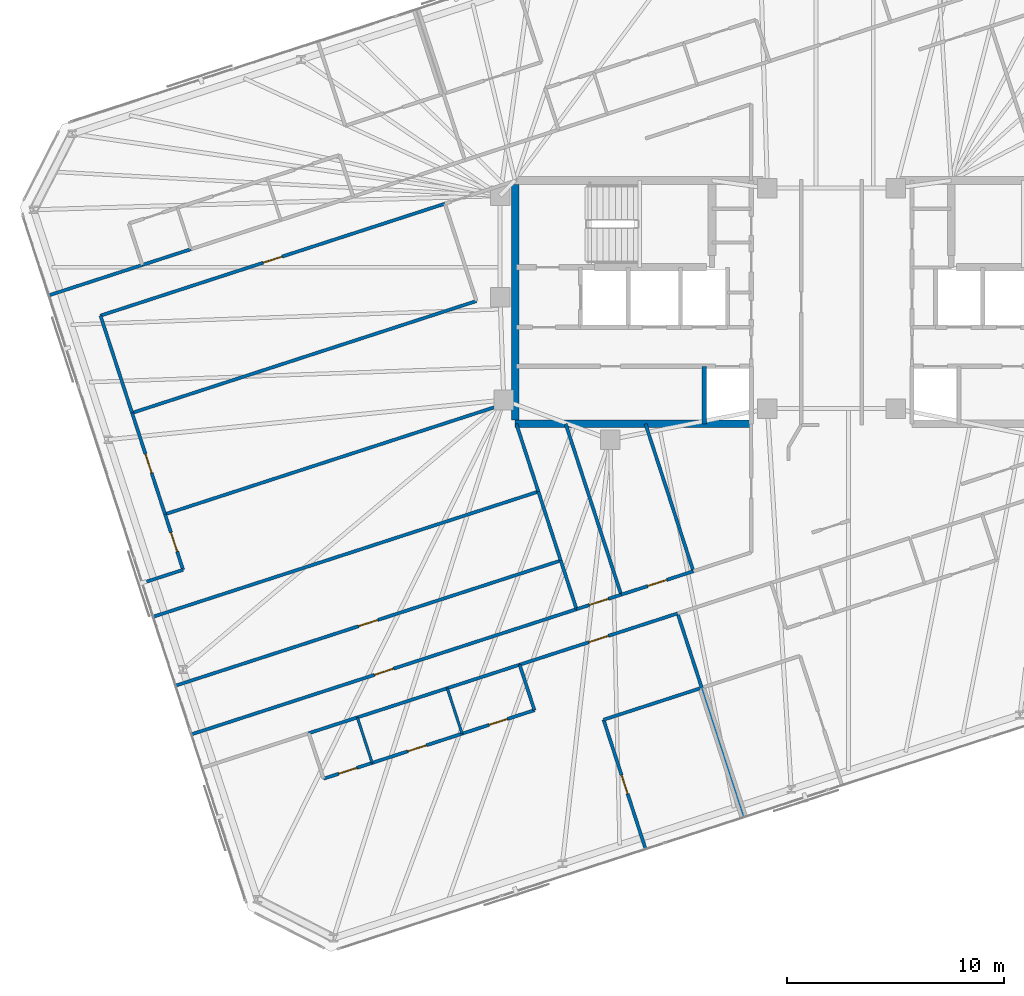
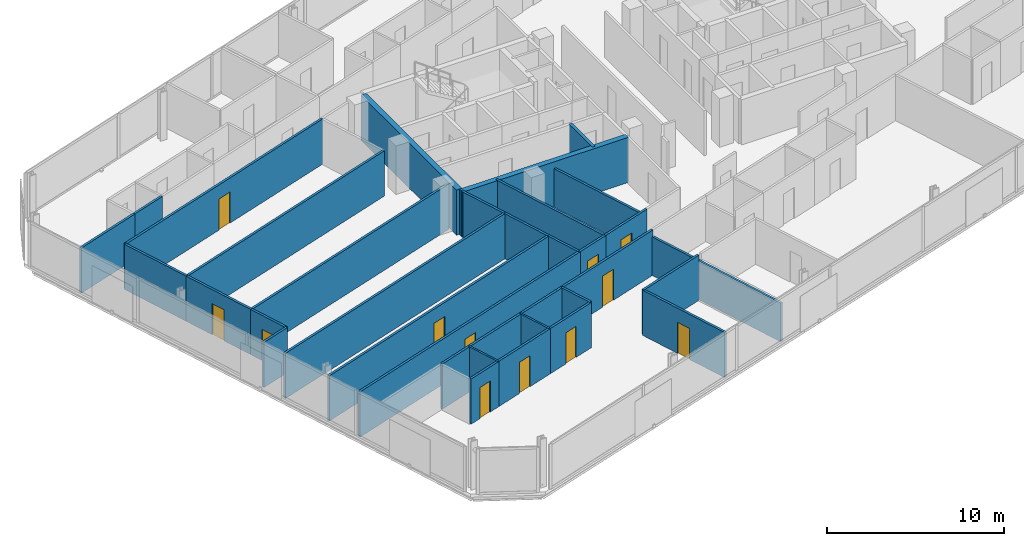
# One storey, part 13 of 20: 35 walls, 12 doors, 12 openings.
"""IFC4 building model written with IfcOpenShell, lengths in metres."""

from ifc_helpers import new_model, si_unit, direction, frame, frame_2d, origin, place, context, subcontext, project, spatial, rectangle, extrude, material, layer, layer_set, type_object, element, fill, save


model = new_model("IFC4")

# Units and contexts
model_context = context("Model", 3, precision=1e-05, world=origin(), true_north=direction((0.0, 1.0)))
body_context = subcontext(model_context, "Body", "Model", "MODEL_VIEW")
ifc_project = project(units=[si_unit("LENGTHUNIT", "METRE"), si_unit("AREAUNIT", "SQUARE_METRE"), si_unit("VOLUMEUNIT", "CUBIC_METRE"), si_unit("PLANEANGLEUNIT", "RADIAN"), si_unit("MASSUNIT", "GRAM", prefix="KILO")], contexts=[model_context])

# Site, building, storey
site_placement = place(None, origin())
site = spatial("IfcSite", under=ifc_project, at=site_placement, CompositionType="ELEMENT")
building_placement = place(site_placement, origin())
building = spatial("IfcBuilding", under=site, at=building_placement, Name="Menara Jurai Vektor", CompositionType="ELEMENT")
storey_placement = place(building_placement, frame((0.0, 0.0, 237.699951171875)))
storey = spatial("IfcBuildingStorey", under=building, at=storey_placement, Name="L63", CompositionType="ELEMENT", Elevation=237.699951171875)

# Walls
ifc_material_1 = material(Name="Gypsum Fireboard Partition", Category="gypsum")
ifc_layer_1 = layer(ifc_material_1, 0.14990234375)
ifc_layer_set_1 = layer_set([ifc_layer_1], Name="Gypsum Fireboard Partition")
wall_type_1 = type_object("IfcWallType", Name="INT-WALL-CORR-150", PredefinedType="PARTITIONING", material=ifc_layer_set_1)
wall_1_placement = place(storey_placement, frame((-36.01220703125, 0.314208984375, 0.0), z_axis=(0.0, 0.0, 1.0), x_axis=(0.951052710898, 0.309028705936, 0.0)))
element("IfcWall", 1, at=wall_1_placement, inside=storey, type_object=wall_type_1, Name="Interior Wall IW-150 L63", PredefinedType="PARTITIONING", context=body_context, shape_type="SweptSolid", body=[
    extrude(rectangle(XDim=4.52294921875, YDim=0.14990234375, at=frame_2d((2.261474609375, 0.0))), origin(), (0.0, 0.0, 1.0), 3.125),
])
wall_2_placement = place(storey_placement, frame((-31.710693359375, 1.7119140625, 0.0), z_axis=(0.0, 0.0, 1.0), x_axis=(0.951076048914, 0.308956872689, 0.0)))
element("IfcWall", 2, at=wall_2_placement, inside=storey, type_object=wall_type_1, Name="Interior Wall IW-150 L63", PredefinedType="PARTITIONING", context=body_context, shape_type="SweptSolid", body=[
    extrude(rectangle(XDim=2.35009765625, YDim=0.14990234375, at=frame_2d((1.175048828125, 0.0))), origin(), (0.0, 0.0, 1.0), 3.125),
])

# Wall, opening, door
wall_3_placement = place(storey_placement, frame((-14.349365234375, -16.67724609375, 0.0), z_axis=(0.0, 0.0, 1.0), x_axis=(0.951058958043, 0.309009479345, 0.0)))
wall_3 = element("IfcWall", 3, at=wall_3_placement, inside=storey, type_object=wall_type_1, Name="Interior Wall IW-150 L63", PredefinedType="PARTITIONING", context=body_context, shape_type="SweptSolid", body=[
    extrude(rectangle(XDim=7.64013671875, YDim=0.14990234375, at=frame_2d((3.820068359375, 0.0))), origin(), (0.0, 0.0, 1.0), 3.125),
])
opening_1_placement = place(wall_3_placement, frame((3.344970703125, 0.0, 0.0)))
opening_1 = element("IfcOpeningElement", 4, at=opening_1_placement, cuts=wall_3, Name="Opening D63-25", PredefinedType="OPENING", context=body_context, shape_type="SweptSolid", body=[
    extrude(rectangle(XDim=0.949951171875, YDim=2.14990234375, at=frame_2d((0.47509765625, 1.074951171875))), frame((0.0, 0.0849609375, 0.0), z_axis=(0.0, -1.0, 0.0), x_axis=(1.0, 0.0, 0.0)), (0.0, 0.0, 1.0), 0.169921875),
])
ifc_material_2 = material(Name="Solid Core Timber Fire Door", Category="wood")
door_type_1 = type_object("IfcDoorType", Name="DR-ENTRY-950", OperationType="NOTDEFINED", PredefinedType="DOOR", material=ifc_material_2)
door_1_placement = place(opening_1_placement, origin())
door_1 = element("IfcDoor", 5, at=door_1_placement, inside=storey, type_object=door_type_1, Name="Interior Door D63-25", OperationType="SINGLE_SWING_LEFT", OverallHeight=2.14990234375, OverallWidth=0.949951171875, PredefinedType="DOOR", context=body_context, shape_type="SweptSolid", body=[
    extrude(rectangle(XDim=0.949951171875, YDim=2.14990234375, at=frame_2d((0.47509765625, 1.074951171875))), frame((0.0, 0.02490234375, 0.0), z_axis=(0.0, -1.0, 0.0), x_axis=(1.0, 0.0, 0.0)), (0.0, 0.0, 1.0), 0.050048828125),
])
fill(opening_1, door_1)

# Walls
wall_4_placement = place(storey_placement, frame((-24.050048828125, -19.829345703125, 0.0), z_axis=(0.0, 0.0, 1.0), x_axis=(0.951035595692, 0.309081373955, 0.0)))
element("IfcWall", 6, at=wall_4_placement, inside=storey, type_object=wall_type_1, Name="Interior Wall IW-150 L63", PredefinedType="PARTITIONING", context=body_context, shape_type="SweptSolid", body=[
    extrude(rectangle(XDim=2.349853515625, YDim=0.14990234375, at=frame_2d((1.1748046875, 0.0))), origin(), (0.0, 0.0, 1.0), 3.125),
])
wall_5_placement = place(storey_placement, frame((-21.815185546875, -19.10302734375, 0.0), z_axis=(0.0, 0.0, 1.0), x_axis=(0.951057987102, 0.309012467661, 0.0)))
element("IfcWall", 7, at=wall_5_placement, inside=storey, type_object=wall_type_1, Name="Interior Wall IW-150 L63", PredefinedType="PARTITIONING", context=body_context, shape_type="SweptSolid", body=[
    extrude(rectangle(XDim=4.35009765625, YDim=0.14990234375, at=frame_2d((2.175048828125, 0.0))), origin(), (0.0, 0.0, 1.0), 3.125),
])
wall_6_placement = place(storey_placement, frame((-17.677978515625, -17.7587890625, 0.0), z_axis=(0.0, 0.0, 1.0), x_axis=(0.951055596592, 0.309019824916, 0.0)))
element("IfcWall", 8, at=wall_6_placement, inside=storey, type_object=wall_type_1, Name="Interior Wall IW-150 L63", PredefinedType="PARTITIONING", context=body_context, shape_type="SweptSolid", body=[
    extrude(rectangle(XDim=3.5, YDim=0.14990234375, at=frame_2d((1.75, 0.0))), origin(), (0.0, 0.0, 1.0), 3.125),
])

# Wall, opening, door
wall_7_placement = place(storey_placement, frame((-29.450439453125, -19.880615234375, 0.0), z_axis=(0.0, 0.0, 1.0), x_axis=(0.95105650271, 0.309017036186, 0.0)))
wall_7 = element("IfcWall", 9, at=wall_7_placement, inside=storey, type_object=wall_type_1, Name="Interior Wall IW-150 L63", PredefinedType="PARTITIONING", context=body_context, shape_type="SweptSolid", body=[
    extrude(rectangle(XDim=18.6318359375, YDim=0.14990234375, at=frame_2d((9.31591796875, 0.0))), origin(), (0.0, 0.0, 1.0), 3.125),
])
opening_2_placement = place(wall_7_placement, frame((8.85595703125, 0.0, 0.0)))
opening_2 = element("IfcOpeningElement", 10, at=opening_2_placement, cuts=wall_7, Name="Opening D63-39", PredefinedType="OPENING", context=body_context, shape_type="SweptSolid", body=[
    extrude(rectangle(XDim=0.919921875, YDim=2.14990234375, at=frame_2d((0.4599609375, 1.074951171875))), frame((0.0, 0.0849609375, 0.0), z_axis=(0.0, -1.0, 0.0), x_axis=(1.0, 0.0, 0.0)), (0.0, 0.0, 1.0), 0.169921875),
])
door_2_placement = place(opening_2_placement, origin())
door_2 = element("IfcDoor", 11, at=door_2_placement, inside=storey, type_object=door_type_1, Name="Interior Door D63-39", OperationType="SINGLE_SWING_LEFT", OverallHeight=2.14990234375, OverallWidth=0.919921875, PredefinedType="DOOR", context=body_context, shape_type="SweptSolid", body=[
    extrude(rectangle(XDim=0.919921875, YDim=2.14990234375, at=frame_2d((0.4599609375, 1.074951171875))), frame((0.0, 0.02490234375, 0.0), z_axis=(0.0, -1.0, 0.0), x_axis=(1.0, 0.0, 0.0)), (0.0, 0.0, 1.0), 0.050048828125),
])
fill(opening_2, door_2)

# Wall
wall_8_placement = place(storey_placement, frame((-31.7119140625, -12.9208984375, 0.0), z_axis=(0.0, 0.0, 1.0), x_axis=(0.951054051148, 0.309024581215, 0.0)))
element("IfcWall", 12, at=wall_8_placement, inside=storey, type_object=wall_type_1, Name="Interior Wall IW-150 L63", PredefinedType="PARTITIONING", context=body_context, shape_type="SweptSolid", body=[
    extrude(rectangle(XDim=1.97509765625, YDim=0.14990234375, at=frame_2d((0.987548828125, 0.0))), origin(), (0.0, 0.0, 1.0), 3.125),
])

# Wall, opening, door
wall_9_placement = place(storey_placement, frame((-29.83349609375, -12.310546875, 0.0), z_axis=(0.0, 0.0, 1.0), x_axis=(-0.309044953986, 0.951047431213, 0.0)))
wall_9 = element("IfcWall", 13, at=wall_9_placement, inside=storey, type_object=wall_type_1, Name="Interior Wall IW-150 L63", PredefinedType="PARTITIONING", context=body_context, shape_type="SweptSolid", body=[
    extrude(rectangle(XDim=2.68505859375, YDim=0.14990234375, at=frame_2d((1.342529296875, 0.0))), origin(), (0.0, 0.0, 1.0), 3.125),
])
opening_3_placement = place(wall_9_placement, frame((0.882568359375, 0.0, 0.0)))
opening_3 = element("IfcOpeningElement", 14, at=opening_3_placement, cuts=wall_9, Name="Opening D63-41", PredefinedType="OPENING", context=body_context, shape_type="SweptSolid", body=[
    extrude(rectangle(XDim=0.919921875, YDim=2.14990234375, at=frame_2d((0.4599609375, 1.074951171875))), frame((0.0, 0.0849609375, 0.0), z_axis=(0.0, -1.0, 0.0), x_axis=(1.0, 0.0, 0.0)), (0.0, 0.0, 1.0), 0.169921875),
])
door_3_placement = place(opening_3_placement, origin())
door_3 = element("IfcDoor", 15, at=door_3_placement, inside=storey, type_object=door_type_1, Name="Interior Door D63-41", OperationType="SINGLE_SWING_LEFT", OverallHeight=2.14990234375, OverallWidth=0.919921875, PredefinedType="DOOR", context=body_context, shape_type="SweptSolid", body=[
    extrude(rectangle(XDim=0.919921875, YDim=2.14990234375, at=frame_2d((0.4599609375, 1.074951171875))), frame((0.0, 0.02490234375, 0.0), z_axis=(0.0, -1.0, 0.0), x_axis=(1.0, 0.0, 0.0)), (0.0, 0.0, 1.0), 0.050048828125),
])
fill(opening_3, door_3)

wall_10_placement = place(storey_placement, frame((-30.663330078125, -9.7568359375, 0.0), z_axis=(0.0, 0.0, 1.0), x_axis=(-0.309019653166, 0.951055652397, 0.0)))
wall_10 = element("IfcWall", 16, at=wall_10_placement, inside=storey, type_object=wall_type_1, Name="Interior Wall IW-150 L63", PredefinedType="PARTITIONING", context=body_context, shape_type="SweptSolid", body=[
    extrude(rectangle(XDim=4.90380859375, YDim=0.14990234375, at=frame_2d((2.451904296875, 0.0))), origin(), (0.0, 0.0, 1.0), 3.125),
])
opening_4_placement = place(wall_10_placement, frame((1.991943359375, 0.0, 0.0)))
opening_4 = element("IfcOpeningElement", 17, at=opening_4_placement, cuts=wall_10, Name="Opening D63-42", PredefinedType="OPENING", context=body_context, shape_type="SweptSolid", body=[
    extrude(rectangle(XDim=0.919921875, YDim=2.14990234375, at=frame_2d((0.4599609375, 1.074951171875))), frame((0.0, 0.0849609375, 0.0), z_axis=(0.0, -1.0, 0.0), x_axis=(1.0, 0.0, 0.0)), (0.0, 0.0, 1.0), 0.169921875),
])
door_4_placement = place(opening_4_placement, origin())
door_4 = element("IfcDoor", 18, at=door_4_placement, inside=storey, type_object=door_type_1, Name="Interior Door D63-42", OperationType="SINGLE_SWING_RIGHT", OverallHeight=2.14990234375, OverallWidth=0.919921875, PredefinedType="DOOR", context=body_context, shape_type="SweptSolid", body=[
    extrude(rectangle(XDim=0.919921875, YDim=2.14990234375, at=frame_2d((0.4599609375, 1.074951171875))), frame((0.0, 0.02490234375, 0.0), z_axis=(0.0, -1.0, 0.0), x_axis=(1.0, 0.0, 0.0)), (0.0, 0.0, 1.0), 0.050048828125),
])
fill(opening_4, door_4)

# Wall
wall_11_placement = place(storey_placement, frame((-32.1787109375, -5.093017578125, 0.0), z_axis=(0.0, 0.0, 1.0), x_axis=(-0.309014532869, 0.951057316083, 0.0)))
element("IfcWall", 19, at=wall_11_placement, inside=storey, type_object=wall_type_1, Name="Interior Wall IW-150 L63", PredefinedType="PARTITIONING", context=body_context, shape_type="SweptSolid", body=[
    extrude(rectangle(XDim=4.707275390625, YDim=0.14990234375, at=frame_2d((2.353515625, 0.0))), origin(), (0.0, 0.0, 1.0), 3.125),
])

# Wall, opening, door
wall_12_placement = place(storey_placement, frame((-33.63330078125, -0.6162109375, 0.0), z_axis=(0.0, 0.0, 1.0), x_axis=(0.951058192995, 0.309011833974, 0.0)))
wall_12 = element("IfcWall", 20, at=wall_12_placement, inside=storey, type_object=wall_type_1, Name="Interior Wall IW-150 L63", PredefinedType="PARTITIONING", context=body_context, shape_type="SweptSolid", body=[
    extrude(rectangle(XDim=16.656982421875, YDim=0.14990234375, at=frame_2d((8.32861328125, 0.0))), origin(), (0.0, 0.0, 1.0), 3.125),
])
opening_5_placement = place(wall_12_placement, frame((7.868408203125, 0.0, 0.0)))
opening_5 = element("IfcOpeningElement", 21, at=opening_5_placement, cuts=wall_12, Name="Opening D63-43", PredefinedType="OPENING", context=body_context, shape_type="SweptSolid", body=[
    extrude(rectangle(XDim=0.919921875, YDim=2.14990234375, at=frame_2d((0.4599609375, 1.074951171875))), frame((0.0, 0.0849609375, 0.0), z_axis=(0.0, -1.0, 0.0), x_axis=(1.0, 0.0, 0.0)), (0.0, 0.0, 1.0), 0.169921875),
])
door_5_placement = place(opening_5_placement, origin())
door_5 = element("IfcDoor", 22, at=door_5_placement, inside=storey, type_object=door_type_1, Name="Interior Door D63-43", OperationType="SINGLE_SWING_LEFT", OverallHeight=2.14990234375, OverallWidth=0.919921875, PredefinedType="DOOR", context=body_context, shape_type="SweptSolid", body=[
    extrude(rectangle(XDim=0.919921875, YDim=2.14990234375, at=frame_2d((0.4599609375, 1.074951171875))), frame((0.0, 0.02490234375, 0.0), z_axis=(0.0, -1.0, 0.0), x_axis=(1.0, 0.0, 0.0)), (0.0, 0.0, 1.0), 0.050048828125),
])
fill(opening_5, door_5)

wall_13_placement = place(storey_placement, frame((-11.73046875, -14.123046875, 0.0), z_axis=(0.0, 0.0, 1.0), x_axis=(0.951066501686, 0.308986260812, 0.0)))
wall_13 = element("IfcWall", 23, at=wall_13_placement, inside=storey, type_object=wall_type_1, Name="Interior Wall IW-150 L63", PredefinedType="PARTITIONING", context=body_context, shape_type="SweptSolid", body=[
    extrude(rectangle(XDim=2.156982421875, YDim=0.14990234375, at=frame_2d((1.07861328125, 0.0))), origin(), (0.0, 0.0, 1.0), 3.125),
])
opening_6_placement = place(wall_13_placement, frame((0.618408203125, 0.0, 0.0)))
opening_6 = element("IfcOpeningElement", 24, at=opening_6_placement, cuts=wall_13, Name="Opening D63-46", PredefinedType="OPENING", context=body_context, shape_type="SweptSolid", body=[
    extrude(rectangle(XDim=0.919921875, YDim=2.14990234375, at=frame_2d((0.4599609375, 1.074951171875))), frame((0.0, 0.0849609375, 0.0), z_axis=(0.0, -1.0, 0.0), x_axis=(1.0, 0.0, 0.0)), (0.0, 0.0, 1.0), 0.169921875),
])
door_6_placement = place(opening_6_placement, origin())
door_6 = element("IfcDoor", 25, at=door_6_placement, inside=storey, type_object=door_type_1, Name="Interior Door D63-46", OperationType="SINGLE_SWING_RIGHT", OverallHeight=2.14990234375, OverallWidth=0.919921875, PredefinedType="DOOR", context=body_context, shape_type="SweptSolid", body=[
    extrude(rectangle(XDim=0.919921875, YDim=2.14990234375, at=frame_2d((0.4599609375, 1.074951171875))), frame((0.0, 0.02490234375, 0.0), z_axis=(0.0, -1.0, 0.0), x_axis=(1.0, 0.0, 0.0)), (0.0, 0.0, 1.0), 0.050048828125),
])
fill(opening_6, door_6)

wall_14_placement = place(storey_placement, frame((-9.678955078125, -13.45654296875, 0.0), z_axis=(0.0, 0.0, 1.0), x_axis=(0.951054104561, 0.309024416831, 0.0)))
wall_14 = element("IfcWall", 26, at=wall_14_placement, inside=storey, type_object=wall_type_1, Name="Interior Wall IW-150 L63", PredefinedType="PARTITIONING", context=body_context, shape_type="SweptSolid", body=[
    extrude(rectangle(XDim=3.491943359375, YDim=0.14990234375, at=frame_2d((1.74609375, 0.0))), origin(), (0.0, 0.0, 1.0), 3.125),
])
opening_7_placement = place(wall_14_placement, frame((1.285888671875, 0.0, 0.0)))
opening_7 = element("IfcOpeningElement", 27, at=opening_7_placement, cuts=wall_14, Name="Opening D63-47", PredefinedType="OPENING", context=body_context, shape_type="SweptSolid", body=[
    extrude(rectangle(XDim=0.919921875, YDim=2.14990234375, at=frame_2d((0.4599609375, 1.074951171875))), frame((0.0, 0.0849609375, 0.0), z_axis=(0.0, -1.0, 0.0), x_axis=(1.0, 0.0, 0.0)), (0.0, 0.0, 1.0), 0.169921875),
])
door_7_placement = place(opening_7_placement, origin())
door_7 = element("IfcDoor", 28, at=door_7_placement, inside=storey, type_object=door_type_1, Name="Interior Door D63-47", OperationType="SINGLE_SWING_LEFT", OverallHeight=2.14990234375, OverallWidth=0.919921875, PredefinedType="DOOR", context=body_context, shape_type="SweptSolid", body=[
    extrude(rectangle(XDim=0.919921875, YDim=2.14990234375, at=frame_2d((0.4599609375, 1.074951171875))), frame((0.0, 0.02490234375, 0.0), z_axis=(0.0, -1.0, 0.0), x_axis=(1.0, 0.0, 0.0)), (0.0, 0.0, 1.0), 0.050048828125),
])
fill(opening_7, door_7)

wall_15_placement = place(storey_placement, frame((-23.370361328125, -21.921630859375, 0.0), z_axis=(0.0, 0.0, 1.0), x_axis=(0.951045519245, 0.309050837767, 0.0)))
wall_15 = element("IfcWall", 29, at=wall_15_placement, inside=storey, type_object=wall_type_1, Name="Interior Wall IW-150 L63", PredefinedType="PARTITIONING", context=body_context, shape_type="SweptSolid", body=[
    extrude(rectangle(XDim=2.35009765625, YDim=0.14990234375, at=frame_2d((1.175048828125, 0.0))), origin(), (0.0, 0.0, 1.0), 3.125),
])
opening_8_placement = place(wall_15_placement, frame((0.735107421875, 0.0, 0.0)))
opening_8 = element("IfcOpeningElement", 30, at=opening_8_placement, cuts=wall_15, Name="Opening D63-26", PredefinedType="OPENING", context=body_context, shape_type="SweptSolid", body=[
    extrude(rectangle(XDim=0.8798828125, YDim=2.14990234375, at=frame_2d((0.43994140625, 1.074951171875))), frame((0.0, 0.0849609375, 0.0), z_axis=(0.0, -1.0, 0.0), x_axis=(1.0, 0.0, 0.0)), (0.0, 0.0, 1.0), 0.169921875),
])
ifc_material_3 = material(Name="Moisture-Resistant Timber Door", Category="wood")
door_type_2 = type_object("IfcDoorType", Name="DR-BATH-880", OperationType="NOTDEFINED", PredefinedType="DOOR", material=ifc_material_3)
door_8_placement = place(opening_8_placement, origin())
door_8 = element("IfcDoor", 31, at=door_8_placement, inside=storey, type_object=door_type_2, Name="Interior Door D63-26", OperationType="SINGLE_SWING_RIGHT", OverallHeight=2.14990234375, OverallWidth=0.8798828125, PredefinedType="DOOR", context=body_context, shape_type="SweptSolid", body=[
    extrude(rectangle(XDim=0.8798828125, YDim=2.14990234375, at=frame_2d((0.43994140625, 1.074951171875))), frame((0.0, 0.02490234375, 0.0), z_axis=(0.0, -1.0, 0.0), x_axis=(1.0, 0.0, 0.0)), (0.0, 0.0, 1.0), 0.050048828125),
])
fill(opening_8, door_8)

wall_16_placement = place(storey_placement, frame((-21.13525390625, -21.1953125, 0.0), z_axis=(0.0, 0.0, 1.0), x_axis=(0.951069122051, 0.308978195154, 0.0)))
wall_16 = element("IfcWall", 32, at=wall_16_placement, inside=storey, type_object=wall_type_1, Name="Interior Wall IW-150 L63", PredefinedType="PARTITIONING", context=body_context, shape_type="SweptSolid", body=[
    extrude(rectangle(XDim=4.349853515625, YDim=0.14990234375, at=frame_2d((2.1748046875, 0.0))), origin(), (0.0, 0.0, 1.0), 3.125),
])
opening_9_placement = place(wall_16_placement, frame((1.72509765625, 0.0, 0.0)))
opening_9 = element("IfcOpeningElement", 33, at=opening_9_placement, cuts=wall_16, Name="Opening D63-27", PredefinedType="OPENING", context=body_context, shape_type="SweptSolid", body=[
    extrude(rectangle(XDim=0.89990234375, YDim=2.14990234375, at=frame_2d((0.449951171875, 1.074951171875))), frame((0.0, 0.0849609375, 0.0), z_axis=(0.0, -1.0, 0.0), x_axis=(1.0, 0.0, 0.0)), (0.0, 0.0, 1.0), 0.169921875),
])
ifc_material_4 = material(Name="Acoustic Timber Interior Door", Category="wood")
door_type_3 = type_object("IfcDoorType", Name="DR-ROOM-900", OperationType="NOTDEFINED", PredefinedType="DOOR", material=ifc_material_4)
door_9_placement = place(opening_9_placement, origin())
door_9 = element("IfcDoor", 34, at=door_9_placement, inside=storey, type_object=door_type_3, Name="Interior Door D63-27", OperationType="SINGLE_SWING_LEFT", OverallHeight=2.14990234375, OverallWidth=0.89990234375, PredefinedType="DOOR", context=body_context, shape_type="SweptSolid", body=[
    extrude(rectangle(XDim=0.89990234375, YDim=2.14990234375, at=frame_2d((0.449951171875, 1.074951171875))), frame((0.0, 0.02490234375, 0.0), z_axis=(0.0, -1.0, 0.0), x_axis=(1.0, 0.0, 0.0)), (0.0, 0.0, 1.0), 0.050048828125),
])
fill(opening_9, door_9)

wall_17_placement = place(storey_placement, frame((-16.998291015625, -19.851318359375, 0.0), z_axis=(0.0, 0.0, 1.0), x_axis=(0.951041757107, 0.309062414796, 0.0)))
wall_17 = element("IfcWall", 35, at=wall_17_placement, inside=storey, type_object=wall_type_1, Name="Interior Wall IW-150 L63", PredefinedType="PARTITIONING", context=body_context, shape_type="SweptSolid", body=[
    extrude(rectangle(XDim=3.500244140625, YDim=0.14990234375, at=frame_2d((1.75, 0.0))), origin(), (0.0, 0.0, 1.0), 3.125),
])
opening_10_placement = place(wall_17_placement, frame((1.31005859375, 0.0, 0.0)))
opening_10 = element("IfcOpeningElement", 36, at=opening_10_placement, cuts=wall_17, Name="Opening D63-28", PredefinedType="OPENING", context=body_context, shape_type="SweptSolid", body=[
    extrude(rectangle(XDim=0.8798828125, YDim=2.14990234375, at=frame_2d((0.43994140625, 1.074951171875))), frame((0.0, 0.0849609375, 0.0), z_axis=(0.0, -1.0, 0.0), x_axis=(1.0, 0.0, 0.0)), (0.0, 0.0, 1.0), 0.169921875),
])
door_10_placement = place(opening_10_placement, origin())
door_10 = element("IfcDoor", 37, at=door_10_placement, inside=storey, type_object=door_type_2, Name="Interior Door D63-28", OperationType="SINGLE_SWING_RIGHT", OverallHeight=2.14990234375, OverallWidth=0.8798828125, PredefinedType="DOOR", context=body_context, shape_type="SweptSolid", body=[
    extrude(rectangle(XDim=0.8798828125, YDim=2.14990234375, at=frame_2d((0.43994140625, 1.074951171875))), frame((0.0, 0.02490234375, 0.0), z_axis=(0.0, -1.0, 0.0), x_axis=(1.0, 0.0, 0.0)), (0.0, 0.0, 1.0), 0.050048828125),
])
fill(opening_10, door_10)

# Wall
wall_18_placement = place(storey_placement, frame((-13.66943359375, -18.76953125, 0.0), z_axis=(0.0, 0.0, 1.0), x_axis=(-0.309060979314, 0.951042223598, 0.0)))
element("IfcWall", 38, at=wall_18_placement, inside=storey, type_object=wall_type_1, Name="Interior Wall IW-150 L63", PredefinedType="PARTITIONING", context=body_context, shape_type="SweptSolid", body=[
    extrude(rectangle(XDim=2.199951171875, YDim=0.14990234375, at=frame_2d((1.10009765625, 0.0))), origin(), (0.0, 0.0, 1.0), 3.125),
])

# Wall, opening, door
wall_19_placement = place(storey_placement, frame((-8.55322265625, -25.16357421875, 0.0), z_axis=(0.0, 0.0, 1.0), x_axis=(-0.309013782848, 0.951057559777, 0.0)))
wall_19 = element("IfcWall", 39, at=wall_19_placement, inside=storey, type_object=wall_type_1, Name="Interior Wall IW-150 L63", PredefinedType="PARTITIONING", context=body_context, shape_type="SweptSolid", body=[
    extrude(rectangle(XDim=6.261962890625, YDim=0.14990234375, at=frame_2d((3.130859375, 0.0))), origin(), (0.0, 0.0, 1.0), 3.125),
])
opening_11_placement = place(wall_19_placement, frame((2.680908203125, 0.0, 0.0)))
opening_11 = element("IfcOpeningElement", 40, at=opening_11_placement, cuts=wall_19, Name="Opening D63-29", PredefinedType="OPENING", context=body_context, shape_type="SweptSolid", body=[
    extrude(rectangle(XDim=0.89990234375, YDim=2.14990234375, at=frame_2d((0.449951171875, 1.074951171875))), frame((0.0, 0.0849609375, 0.0), z_axis=(0.0, -1.0, 0.0), x_axis=(1.0, 0.0, 0.0)), (0.0, 0.0, 1.0), 0.169921875),
])
door_11_placement = place(opening_11_placement, origin())
door_11 = element("IfcDoor", 41, at=door_11_placement, inside=storey, type_object=door_type_3, Name="Interior Door D63-29", OperationType="SINGLE_SWING_LEFT", OverallHeight=2.14990234375, OverallWidth=0.89990234375, PredefinedType="DOOR", context=body_context, shape_type="SweptSolid", body=[
    extrude(rectangle(XDim=0.89990234375, YDim=2.14990234375, at=frame_2d((0.449951171875, 1.074951171875))), frame((0.0, 0.02490234375, 0.0), z_axis=(0.0, -1.0, 0.0), x_axis=(1.0, 0.0, 0.0)), (0.0, 0.0, 1.0), 0.050048828125),
])
fill(opening_11, door_11)

# Wall
wall_20_placement = place(storey_placement, frame((-10.48828125, -19.2080078125, 0.0), z_axis=(0.0, 0.0, 1.0), x_axis=(0.951050272606, 0.309036209813, 0.0)))
element("IfcWall", 42, at=wall_20_placement, inside=storey, type_object=wall_type_1, Name="Interior Wall IW-150 L63", PredefinedType="PARTITIONING", context=body_context, shape_type="SweptSolid", body=[
    extrude(rectangle(XDim=4.64990234375, YDim=0.14990234375, at=frame_2d((2.324951171875, 0.0))), origin(), (0.0, 0.0, 1.0), 3.125),
])

# Wall, opening, door
wall_21_placement = place(storey_placement, frame((-30.177978515625, -17.641845703125, 0.0), z_axis=(0.0, 0.0, 1.0), x_axis=(0.95105650271, 0.309017036186, 0.0)))
wall_21 = element("IfcWall", 43, at=wall_21_placement, inside=storey, type_object=wall_type_1, Name="Interior Wall IW-150 L63", PredefinedType="PARTITIONING", context=body_context, shape_type="SweptSolid", body=[
    extrude(rectangle(XDim=18.6318359375, YDim=0.14990234375, at=frame_2d((9.31591796875, 0.0))), origin(), (0.0, 0.0, 1.0), 3.125),
])
opening_12_placement = place(wall_21_placement, frame((8.85595703125, 0.0, 0.0)))
opening_12 = element("IfcOpeningElement", 44, at=opening_12_placement, cuts=wall_21, Name="Opening D63-40", PredefinedType="OPENING", context=body_context, shape_type="SweptSolid", body=[
    extrude(rectangle(XDim=0.919921875, YDim=2.14990234375, at=frame_2d((0.4599609375, 1.074951171875))), frame((0.0, 0.0849609375, 0.0), z_axis=(0.0, -1.0, 0.0), x_axis=(1.0, 0.0, 0.0)), (0.0, 0.0, 1.0), 0.169921875),
])
door_12_placement = place(opening_12_placement, origin())
door_12 = element("IfcDoor", 45, at=door_12_placement, inside=storey, type_object=door_type_1, Name="Interior Door D63-40", OperationType="SINGLE_SWING_RIGHT", OverallHeight=2.14990234375, OverallWidth=0.919921875, PredefinedType="DOOR", context=body_context, shape_type="SweptSolid", body=[
    extrude(rectangle(XDim=0.919921875, YDim=2.14990234375, at=frame_2d((0.4599609375, 1.074951171875))), frame((0.0, 0.02490234375, 0.0), z_axis=(0.0, -1.0, 0.0), x_axis=(1.0, 0.0, 0.0)), (0.0, 0.0, 1.0), 0.050048828125),
])
fill(opening_12, door_12)

# Walls
wall_22_placement = place(storey_placement, frame((-11.73046875, -14.123046875, 0.0), z_axis=(0.0, 0.0, 1.0), x_axis=(-0.309062621189, 0.951041690035, 0.0)))
element("IfcWall", 46, at=wall_22_placement, inside=storey, type_object=wall_type_1, Name="Interior Wall IW-150 L63", PredefinedType="PARTITIONING", context=body_context, shape_type="SweptSolid", body=[
    extrude(rectangle(XDim=2.35400390625, YDim=0.14990234375, at=frame_2d((1.177001953125, 0.0))), origin(), (0.0, 0.0, 1.0), 3.125),
])
wall_23_placement = place(storey_placement, frame((-31.208251953125, -14.470947265625, 0.0), z_axis=(0.0, 0.0, 1.0), x_axis=(0.951057753948, 0.309013185244, 0.0)))
element("IfcWall", 47, at=wall_23_placement, inside=storey, type_object=wall_type_1, Name="Interior Wall IW-150 L63", PredefinedType="PARTITIONING", context=body_context, shape_type="SweptSolid", body=[
    extrude(rectangle(XDim=18.632080078125, YDim=0.14990234375, at=frame_2d((9.31591796875, 0.0))), origin(), (0.0, 0.0, 1.0), 3.125),
])
wall_24_placement = place(storey_placement, frame((-12.4580078125, -11.88427734375, 0.0), z_axis=(0.0, 0.0, 1.0), x_axis=(-0.308946982245, 0.951079261766, 0.0)))
element("IfcWall", 48, at=wall_24_placement, inside=storey, type_object=wall_type_1, Name="Interior Wall IW-150 L63", PredefinedType="PARTITIONING", context=body_context, shape_type="SweptSolid", body=[
    extrude(rectangle(XDim=3.333984375, YDim=0.14990234375, at=frame_2d((1.6669921875, 0.0))), origin(), (0.0, 0.0, 1.0), 3.125),
])
wall_25_placement = place(storey_placement, frame((-30.663330078125, -9.7568359375, 0.0), z_axis=(0.0, 0.0, 1.0), x_axis=(0.951058192995, 0.309011833974, 0.0)))
element("IfcWall", 49, at=wall_25_placement, inside=storey, type_object=wall_type_1, Name="Interior Wall IW-150 L63", PredefinedType="PARTITIONING", context=body_context, shape_type="SweptSolid", body=[
    extrude(rectangle(XDim=16.656982421875, YDim=0.14990234375, at=frame_2d((8.32861328125, 0.0))), origin(), (0.0, 0.0, 1.0), 3.125),
])
wall_26_placement = place(storey_placement, frame((-13.488037109375, -8.71337890625, 0.0), z_axis=(0.0, 0.0, 1.0), x_axis=(-0.309082700143, 0.951035164687, 0.0)))
element("IfcWall", 50, at=wall_26_placement, inside=storey, type_object=wall_type_1, Name="Interior Wall IW-150 L63", PredefinedType="PARTITIONING", context=body_context, shape_type="SweptSolid", body=[
    extrude(rectangle(XDim=3.274169921875, YDim=0.14990234375, at=frame_2d((1.63720703125, 0.0))), origin(), (0.0, 0.0, 1.0), 3.125),
])
wall_27_placement = place(storey_placement, frame((-32.1787109375, -5.093017578125, 0.0), z_axis=(0.0, 0.0, 1.0), x_axis=(0.951053885426, 0.309025091239, 0.0)))
element("IfcWall", 51, at=wall_27_placement, inside=storey, type_object=wall_type_1, Name="Interior Wall IW-150 L63", PredefinedType="PARTITIONING", context=body_context, shape_type="SweptSolid", body=[
    extrude(rectangle(XDim=16.656982421875, YDim=0.14990234375, at=frame_2d((8.32861328125, 0.0))), origin(), (0.0, 0.0, 1.0), 3.125),
])
wall_28_placement = place(storey_placement, frame((-9.678955078125, -13.45654296875, 0.0), z_axis=(0.0, 0.0, 1.0), x_axis=(-0.309010558951, 0.951058607267, 0.0)))
element("IfcWall", 52, at=wall_28_placement, inside=storey, type_object=wall_type_1, Name="Interior Wall IW-150 L63", PredefinedType="PARTITIONING", context=body_context, shape_type="SweptSolid", body=[
    extrude(rectangle(XDim=8.260986328125, YDim=0.14990234375, at=frame_2d((4.13037109375, 0.0))), origin(), (0.0, 0.0, 1.0), 3.125),
])
ifc_layer_2 = layer(ifc_material_1, 0.14990234375)
ifc_layer_set_2 = layer_set([ifc_layer_2], Name="Gypsum Fireboard Partition")
wall_type_2 = type_object("IfcWallType", Name="INT-WALL-CORR-150-H1", PredefinedType="PARTITIONING", material=ifc_layer_set_2)
wall_29_placement = place(storey_placement, frame((-4.03564453125, -23.69580078125, 0.0), z_axis=(0.0, 0.0, 1.0), x_axis=(-0.309022258842, 0.95105480575, 0.0)))
element("IfcWall", 53, at=wall_29_placement, inside=storey, type_object=wall_type_2, Name="Interior Wall IW-150 L63", PredefinedType="PARTITIONING", context=body_context, shape_type="SweptSolid", body=[
    extrude(rectangle(XDim=9.862060546875, YDim=0.14990234375, at=frame_2d((4.93115234375, 0.0))), origin(), (0.0, 0.0, 1.0), 2.675048828125),
])
wall_30_placement = place(storey_placement, frame((-6.35791015625, -12.37744140625, 0.0), z_axis=(0.0, 0.0, 1.0), x_axis=(-0.309024097906, 0.951054208189, 0.0)))
element("IfcWall", 54, at=wall_30_placement, inside=storey, type_object=wall_type_2, Name="Interior Wall IW-150 L63", PredefinedType="PARTITIONING", context=body_context, shape_type="SweptSolid", body=[
    extrude(rectangle(XDim=7.126220703125, YDim=0.14990234375, at=frame_2d((3.56298828125, 0.0))), origin(), (0.0, 0.0, 1.0), 2.675048828125),
])
ifc_material_5 = material(Name="Gypsum Acoustic Stud Partition", Category="gypsum")
ifc_layer_3 = layer(ifc_material_5, 0.1201171875)
ifc_layer_set_3 = layer_set([ifc_layer_3], Name="Gypsum Acoustic Stud Partition")
wall_type_3 = type_object("IfcWallType", Name="INT-WALL-PART-120", PredefinedType="PARTITIONING", material=ifc_layer_set_3)
wall_31_placement = place(storey_placement, frame((-21.13525390625, -21.1953125, 0.0), z_axis=(0.0, 0.0, 1.0), x_axis=(-0.309060979314, 0.951042223598, 0.0)))
element("IfcWall", 55, at=wall_31_placement, inside=storey, type_object=wall_type_3, Name="Interior Wall IW-120 L63", PredefinedType="PARTITIONING", context=body_context, shape_type="SweptSolid", body=[
    extrude(rectangle(XDim=2.199951171875, YDim=0.1201171875, at=frame_2d((1.10009765625, 0.0))), origin(), (0.0, 0.0, 1.0), 3.125),
])
wall_32_placement = place(storey_placement, frame((-16.998291015625, -19.851318359375, 0.0), z_axis=(0.0, 0.0, 1.0), x_axis=(-0.30892799396, 0.951085429679, 0.0)))
element("IfcWall", 56, at=wall_32_placement, inside=storey, type_object=wall_type_3, Name="Interior Wall IW-120 L63", PredefinedType="PARTITIONING", context=body_context, shape_type="SweptSolid", body=[
    extrude(rectangle(XDim=2.2001953125, YDim=0.1201171875, at=frame_2d((1.10009765625, 0.0))), origin(), (0.0, 0.0, 1.0), 3.125),
])
ifc_material_6 = material(Name="Concrete C40/50", Category="concrete")
ifc_layer_4 = layer(ifc_material_6, 0.199951171875)
ifc_layer_set_4 = layer_set([ifc_layer_4], Name="Concrete C40/50")
wall_type_4 = type_object("IfcWallType", Name="INT-WALL-SHAFT-200", PredefinedType="STANDARD", material=ifc_layer_set_4)
wall_33_placement = place(storey_placement, frame((-5.860107421875, -5.60009765625, 0.0), z_axis=(0.0, 0.0, 1.0), x_axis=(0.0, 1.0, 0.0)))
element("IfcWall", 57, at=wall_33_placement, inside=storey, type_object=wall_type_4, Name="Interior Wall IW-200 L63", PredefinedType="STANDARD", context=body_context, shape_type="SweptSolid", body=[
    extrude(rectangle(XDim=2.650146484375, YDim=0.199951171875, at=frame_2d((1.3251953125, 0.0))), origin(), (0.0, 0.0, 1.0), 3.125),
])
ifc_material_7 = material(Name="Concrete C50/60", Category="concrete")
ifc_layer_5 = layer(ifc_material_7, 0.35009765625)
ifc_layer_set_5 = layer_set([ifc_layer_5], Name="Concrete C50/60")
wall_type_5 = type_object("IfcWallType", Name="STR-WALL-CORE350", PredefinedType="SHEAR", material=ifc_layer_set_5)
wall_34_placement = place(storey_placement, frame((-14.56005859375, -5.60009765625, 0.0), z_axis=(0.0, 0.0, 1.0), x_axis=(1.0, 0.0, 0.0)))
element("IfcWall", 58, at=wall_34_placement, inside=storey, type_object=wall_type_5, Name="Core Shear Wall CW-W-S L63", PredefinedType="SHEAR", context=body_context, shape_type="SweptSolid", body=[
    extrude(rectangle(XDim=10.860107421875, YDim=0.35009765625, at=frame_2d((5.43017578125, 0.0))), origin(), (0.0, 0.0, 1.0), 3.125),
])
wall_35_placement = place(storey_placement, frame((-14.56005859375, -5.425048828125, 0.0), z_axis=(0.0, 0.0, 1.0), x_axis=(0.0, 1.0, 0.0)))
element("IfcWall", 59, at=wall_35_placement, inside=storey, type_object=wall_type_5, Name="Core Shear Wall CW-W-W L63", PredefinedType="SHEAR", context=body_context, shape_type="SweptSolid", body=[
    extrude(rectangle(XDim=10.85009765625, YDim=0.35009765625, at=frame_2d((5.425048828125, 0.0))), origin(), (0.0, 0.0, 1.0), 3.125),
])

save(model, "model.ifc")
